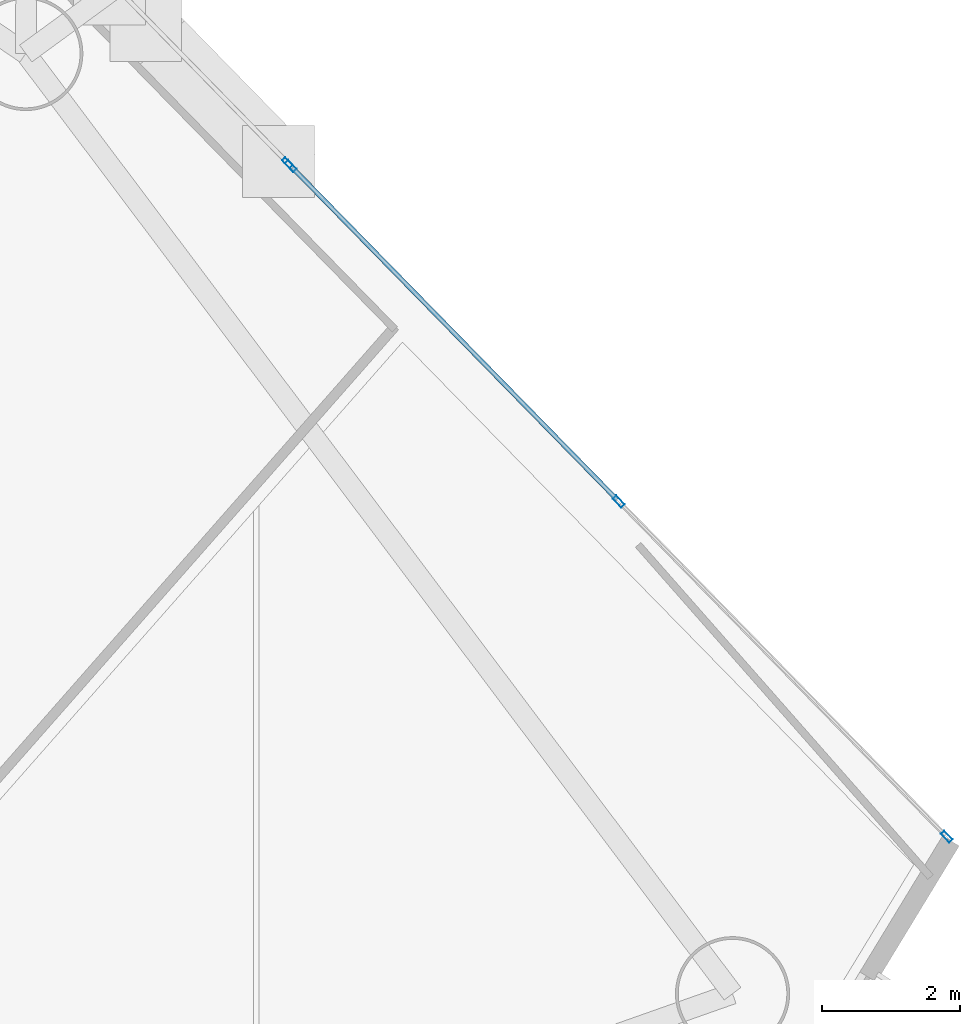
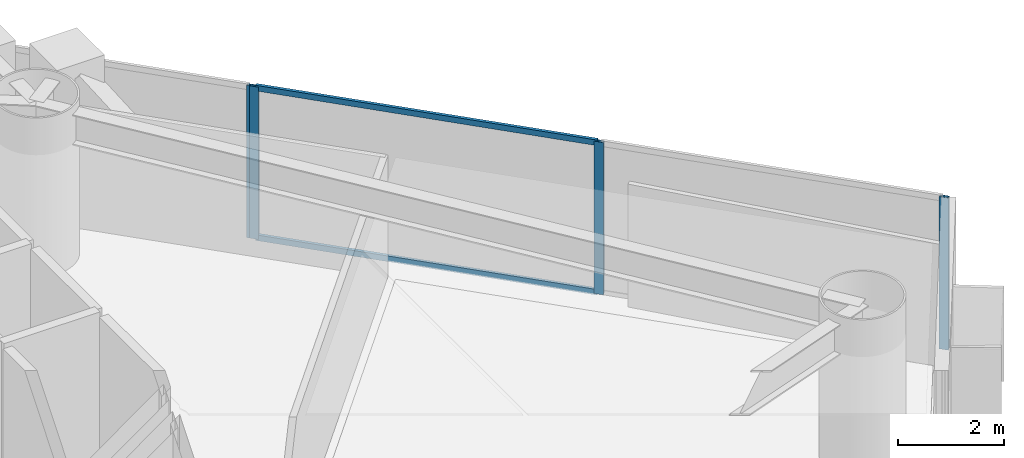
# One storey, part 13 of 23: 6 members, 2 elements without a shape of their own.
"""IFC4 building model written with IfcOpenShell, lengths in metres."""

from ifc_helpers import new_model, si_unit, direction, frame, origin, origin_2d, place, context, subcontext, project, spatial, hollow_rectangle, extrude, material, layer, layer_set, material_profile, profile_set, type_object, element, aggregate, save


model = new_model("IFC4")

# Units and contexts
model_context = context("Model", 3, precision=1e-05, world=origin(), true_north=direction((0.0, 1.0)))
body_context = subcontext(model_context, "Body", "Model", "MODEL_VIEW")
ifc_project = project(units=[si_unit("LENGTHUNIT", "METRE"), si_unit("AREAUNIT", "SQUARE_METRE"), si_unit("VOLUMEUNIT", "CUBIC_METRE"), si_unit("PLANEANGLEUNIT", "RADIAN"), si_unit("MASSUNIT", "GRAM", prefix="KILO")], contexts=[model_context])

# Site, building, storey
site_placement = place(None, origin())
site = spatial("IfcSite", under=ifc_project, at=site_placement, CompositionType="ELEMENT")
building_placement = place(site_placement, origin())
building = spatial("IfcBuilding", under=site, at=building_placement, Name="Qianvela Tower", CompositionType="ELEMENT")
storey_placement = place(building_placement, frame((0.0, 0.0, 56.199951171875)))
storey = spatial("IfcBuildingStorey", under=building, at=storey_placement, Name="L13", CompositionType="ELEMENT", Elevation=56.199951171875)

# Curtain wall, member
ifc_material_1 = material(Name="Anodised Architectural Aluminium and Insulated Spandrel Panel", Category="aluminium")
ifc_layer_1 = layer(ifc_material_1, 0.179931640625)
ifc_layer_set_1 = layer_set([ifc_layer_1], Name="Anodised Architectural Aluminium and Insulated Spandrel Panel")
curtain_wall_type_1 = type_object("IfcCurtainWallType", Name="CW-BRACEBAY", PredefinedType="USERDEFINED", material=ifc_layer_set_1)
curtain_wall_1_placement = place(storey_placement, origin())
curtain_wall_1 = element("IfcCurtainWall", 1, at=curtain_wall_1_placement, inside=storey, type_object=curtain_wall_type_1, Name="L13 CW-BRACEBAY Curtain Wall 02B", ObjectType="CURTAIN_WALL_SYSTEM", PredefinedType="USERDEFINED")
ifc_material_2 = material(Name="Anodised Architectural Aluminium 6063-T6", Category="aluminium")
ifc_material_profile_1 = material_profile(ifc_material_2, hollow_rectangle(XDim=0.06494140625, YDim=0.159912109375, WallThickness=0.0048828125, at=origin_2d()), Name="ALU-MULL-65x160")
ifc_profile_set_1 = profile_set([ifc_material_profile_1], Name="Anodised Architectural Aluminium 6063-T6")
member_type_1 = type_object("IfcMemberType", Name="CW-BRACEBAY-MULL", PredefinedType="MULLION", material=ifc_profile_set_1)
member_1_placement = place(storey_placement, frame((49.76708984375, 32.479248046875, 0.0), z_axis=(0.0, 0.0, 1.0), x_axis=(-0.714881450227, -0.699245673652, 0.0)))
member_1 = element("IfcMember", 2, at=member_1_placement, type_object=member_type_1, Name="CW-9 mullion 1", PredefinedType="MULLION", context=body_context, shape_type="SweptSolid", body=[
    extrude(hollow_rectangle(XDim=0.06494140625, YDim=0.159912109375, WallThickness=0.0048828125, at=origin_2d()), origin(), (0.0, 0.0, 1.0), 3.52001953125),
])
aggregate(curtain_wall_1, [member_1])

# Curtain wall, members
ifc_material_3 = material(Name="Anodised Architectural Aluminium and Low-E Glass", Category="aluminium")
ifc_layer_2 = layer(ifc_material_3, 0.179931640625)
ifc_layer_set_2 = layer_set([ifc_layer_2], Name="Anodised Architectural Aluminium and Low-E Glass")
curtain_wall_type_2 = type_object("IfcCurtainWallType", Name="CW-COLIV-Z12", PredefinedType="USERDEFINED", material=ifc_layer_set_2)
curtain_wall_2_placement = place(storey_placement, origin())
curtain_wall_2 = element("IfcCurtainWall", 3, at=curtain_wall_2_placement, inside=storey, type_object=curtain_wall_type_2, Name="L13 CW-COLIV-Z12 Curtain Wall 02A", ObjectType="CURTAIN_WALL_SYSTEM", PredefinedType="USERDEFINED")
ifc_material_4 = material(Name="Anodised Architectural Aluminium 6063-T6", Category="aluminium")
ifc_material_profile_2 = material_profile(ifc_material_4, hollow_rectangle(XDim=0.070068359375, YDim=0.179931640625, WallThickness=0.0048828125, at=origin_2d()), Name="ALU-MULL-70x180")
ifc_profile_set_2 = profile_set([ifc_material_profile_2], Name="Anodised Architectural Aluminium 6063-T6")
member_type_2 = type_object("IfcMemberType", Name="CW-COLIV-Z12-MULL", PredefinedType="MULLION", material=ifc_profile_set_2)
member_2_placement = place(storey_placement, frame((59.296142578125, 22.737060546875, 0.0), z_axis=(0.0, 0.0, 1.0), x_axis=(-0.714877236747, -0.699249981323, 0.0)))
member_2 = element("IfcMember", 4, at=member_2_placement, type_object=member_type_2, Name="CW-3 mullion 1", PredefinedType="MULLION", context=body_context, shape_type="SweptSolid", body=[
    extrude(hollow_rectangle(XDim=0.070068359375, YDim=0.179931640625, WallThickness=0.0048828125, at=origin_2d()), origin(), (0.0, 0.0, 1.0), 3.52001953125),
])
member_3_placement = place(storey_placement, frame((54.55517578125, 27.583984375, 0.0), z_axis=(0.0, 0.0, 1.0), x_axis=(-0.714877236747, -0.699249981323, 0.0)))
member_3 = element("IfcMember", 5, at=member_3_placement, type_object=member_type_2, Name="CW-3 mullion 2", PredefinedType="MULLION", context=body_context, shape_type="SweptSolid", body=[
    extrude(hollow_rectangle(XDim=0.070068359375, YDim=0.179931640625, WallThickness=0.0048828125, at=origin_2d()), origin(), (0.0, 0.0, 1.0), 3.52001953125),
])
member_4_placement = place(storey_placement, frame((49.814208984375, 32.430908203125, 0.0), z_axis=(0.0, 0.0, 1.0), x_axis=(-0.714877236747, -0.699249981323, 0.0)))
member_4 = element("IfcMember", 6, at=member_4_placement, type_object=member_type_2, Name="CW-3 mullion 3", PredefinedType="MULLION", context=body_context, shape_type="SweptSolid", body=[
    extrude(hollow_rectangle(XDim=0.070068359375, YDim=0.179931640625, WallThickness=0.0048828125, at=origin_2d()), origin(), (0.0, 0.0, 1.0), 3.52001953125),
])
ifc_material_5 = material(Name="Anodised Architectural Aluminium 6063-T6", Category="aluminium")
ifc_material_profile_3 = material_profile(ifc_material_5, hollow_rectangle(XDim=0.06494140625, YDim=0.1298828125, WallThickness=0.00439453125, at=origin_2d()), Name="ALU-TRAN-65x130")
ifc_profile_set_3 = profile_set([ifc_material_profile_3], Name="Anodised Architectural Aluminium 6063-T6")
member_type_3 = type_object("IfcMemberType", Name="CW-COLIV-Z12-TRAN", PredefinedType="USERDEFINED", material=ifc_profile_set_3)
member_5_placement = place(storey_placement, frame((54.530517578125, 27.609130859375, 0.032470703125), z_axis=(-0.699258990338, 0.714868424559, 0.0), x_axis=(-0.714868424559, -0.699258990338, 0.0)))
member_5 = element("IfcMember", 7, at=member_5_placement, type_object=member_type_3, Name="CW-3 transom 2.1", ObjectType="TRANSOM", PredefinedType="USERDEFINED", context=body_context, shape_type="SweptSolid", body=[
    extrude(hollow_rectangle(XDim=0.06494140625, YDim=0.1298828125, WallThickness=0.00439453125, at=origin_2d()), origin(), (0.0, 0.0, 1.0), 6.709716796875),
])
member_6_placement = place(storey_placement, frame((54.530517578125, 27.609130859375, 3.487548828125), z_axis=(-0.699258990338, 0.714868424559, 0.0), x_axis=(-0.714868424559, -0.699258990338, 0.0)))
member_6 = element("IfcMember", 8, at=member_6_placement, type_object=member_type_3, Name="CW-3 transom 2.2", ObjectType="TRANSOM", PredefinedType="USERDEFINED", context=body_context, shape_type="SweptSolid", body=[
    extrude(hollow_rectangle(XDim=0.06494140625, YDim=0.1298828125, WallThickness=0.00439453125, at=origin_2d()), origin(), (0.0, 0.0, 1.0), 6.709716796875),
])
aggregate(curtain_wall_2, [member_2, member_3, member_4, member_5, member_6])

save(model, "model.ifc")
